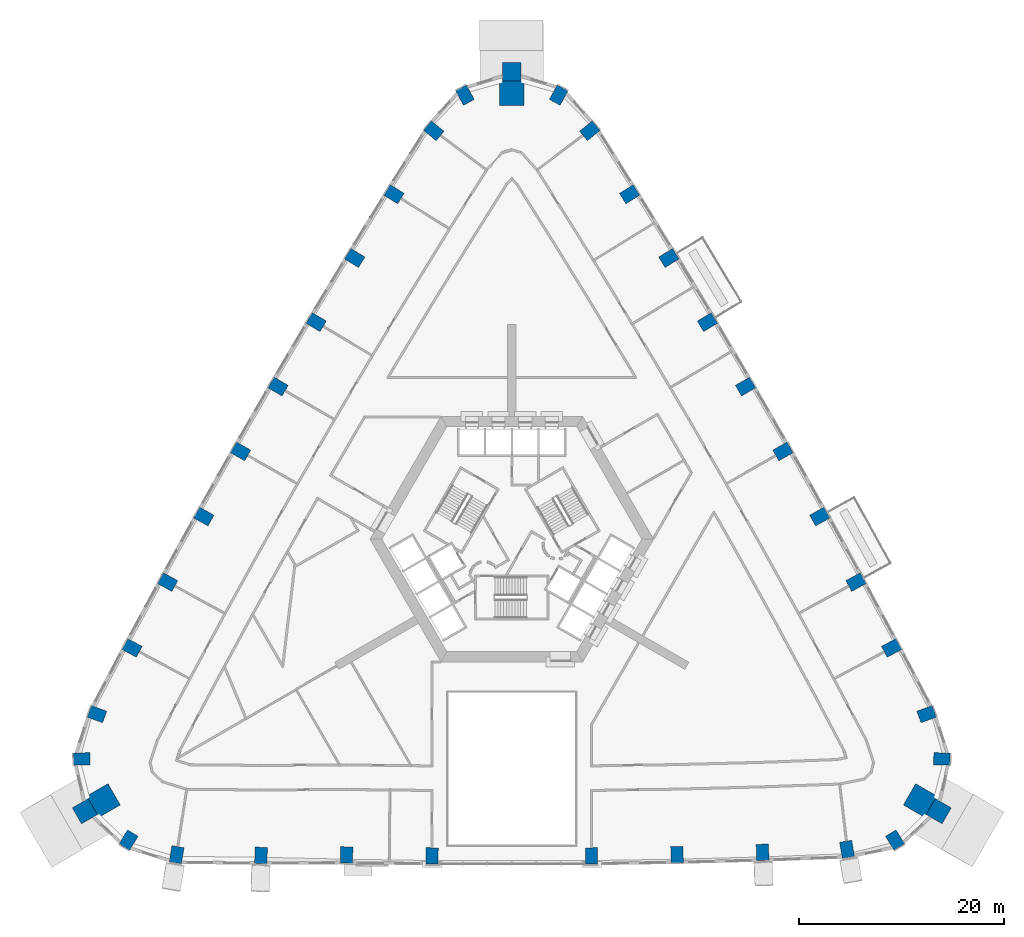
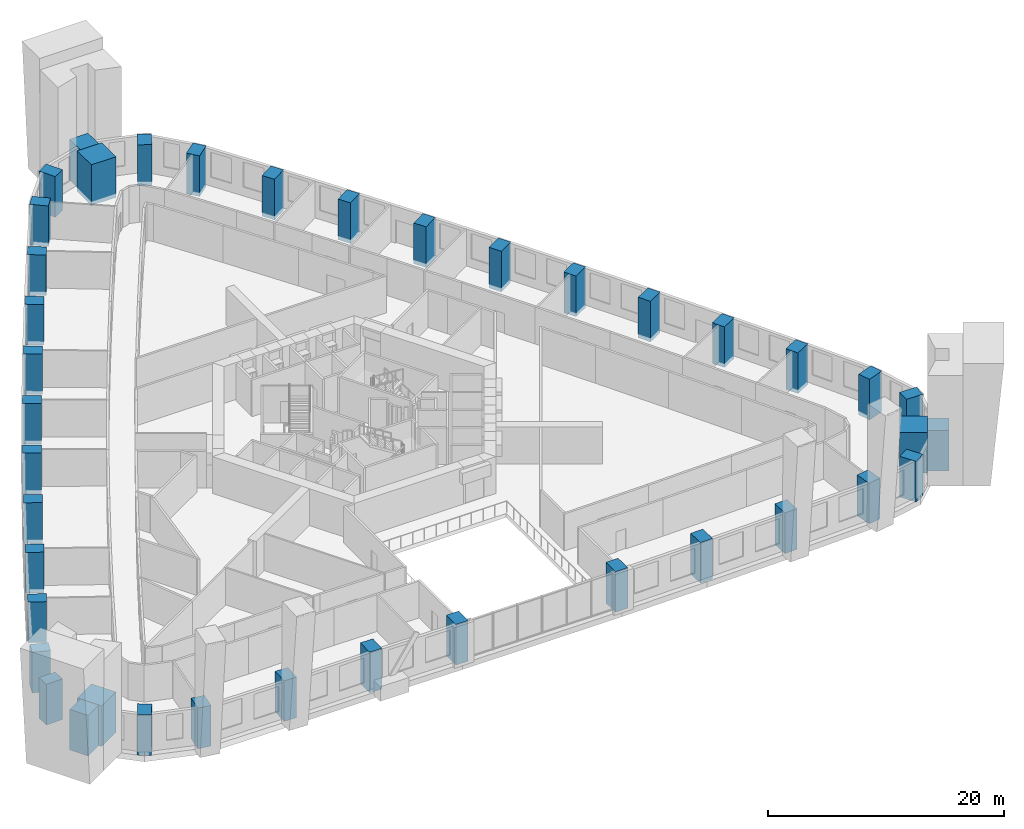
# One storey, part 1 of 16: 40 columns.
"""IFC4 building model written with IfcOpenShell, lengths in metres."""

from ifc_helpers import new_model, si_unit, direction, frame, origin, origin_2d, place, context, subcontext, project, spatial, rectangle, extrude, material, material_profile, profile_set, type_object, element, save


model = new_model("IFC4")

# Units and contexts
model_context = context("Model", 3, precision=1e-05, world=origin(), true_north=direction((0.0, 1.0)))
body_context = subcontext(model_context, "Body", "Model", "MODEL_VIEW")
ifc_project = project(units=[si_unit("LENGTHUNIT", "METRE"), si_unit("AREAUNIT", "SQUARE_METRE"), si_unit("VOLUMEUNIT", "CUBIC_METRE"), si_unit("PLANEANGLEUNIT", "RADIAN"), si_unit("MASSUNIT", "GRAM", prefix="KILO")], contexts=[model_context])

# Site, building, storey
site_placement = place(None, origin())
site = spatial("IfcSite", under=ifc_project, at=site_placement, CompositionType="ELEMENT")
building_placement = place(site_placement, origin())
building = spatial("IfcBuilding", under=site, at=building_placement, Name="Entoto Arch Interchange Tower", CompositionType="ELEMENT")
storey_placement = place(building_placement, frame((0.0, 0.0, 60.199951171875)))
storey = spatial("IfcBuildingStorey", under=building, at=storey_placement, Name="L12", CompositionType="ELEMENT", Elevation=60.199951171875)

# Columns
ifc_material_1 = material(Name="Concrete C60/75", Category="concrete")
ifc_material_profile_1 = material_profile(ifc_material_1, rectangle(XDim=1.199951171875, YDim=1.60009765625, at=origin_2d()))
ifc_profile_set_1 = profile_set([ifc_material_profile_1], Name="Concrete C60/75")
column_type_1 = type_object("IfcColumnType", Name="Column RC 1200x1600 C60/75", PredefinedType="COLUMN", material=ifc_profile_set_1)
for number, where, z_axis, x_axis, name in (
    (1, (-32.760986328125, -28.345947265625, -0.39990234375), (0.0, 0.0, 1.0), (-0.98600476771, 0.166717119856, 0.0), "Column S01 L12"),
    (2, (-24.510009765625, -28.416015625, -0.39990234375), (0.0, 0.0, 1.0), (-0.999434480961, 0.033626154508, 0.0), "Column S02 L12"),
    (3, (-16.14990234375, -28.367919921875, -0.39990234375), (0.0, 0.0, 1.0), (-0.99975435134, 0.022163866481, 0.0), "Column S03 L12"),
    (4, (-7.79296875, -28.4609375, -0.39990234375), (0.0, 0.0, 1.0), (-0.999966355195, 0.008202955488, 0.0), "Column S04 L12"),
    (5, (7.79296875, -28.4609375, -0.39990234375), (0.0, 0.0, 1.0), (0.999966355195, 0.008202955488, 0.0), "Column S05 L12"),
    (6, (16.14990234375, -28.33203125, -0.39990234375), (0.0, 0.0, 1.0), (0.99975435134, 0.022163866481, 0.0), "Column S06 L12"),
    (7, (24.510009765625, -28.114013671875, -0.39990234375), (0.0, 0.0, 1.0), (0.999434480961, 0.033626154508, 0.0), "Column S07 L12"),
    (8, (32.760986328125, -27.818115234375, -0.39990234375), (0.0, 0.0, 1.0), (0.98600476771, 0.166717119856, 0.0), "Column S08 L12"),
    (9, (37.45703125, -26.9130859375, -0.39990234375), (0.0, 0.0, 1.0), (0.854522294989, 0.519414716163, 0.0), "Column SE1 L12"),
    (10, (42.034912109375, -18.98193359375, -0.39990234375), (0.0, 0.0, 1.0), (0.022565191802, 0.999745373642, 0.0), "Column SE3 L12"),
    (11, (40.5439453125, -14.60400390625, -0.39990234375), (0.0, 0.0, 1.0), (-0.348277574304, 0.937391450375, 0.0), "Column NE01 L12"),
    (12, (37.116943359375, -8.132080078125, -0.39990234375), (0.0, 0.0, 1.0), (-0.46931745221, 0.883029517656, 0.0), "Column NE02 L12"),
    (13, (33.639892578125, -1.695068359375, -0.39990234375), (0.0, 0.0, 1.0), (-0.478140110514, 0.878283573066, 0.0), "Column NE03 L12"),
    (14, (30.10205078125, 4.7080078125, -0.39990234375), (0.0, 0.0, 1.0), (-0.486914781103, 0.873449481048, 0.0), "Column NE04 L12"),
    (15, (26.5029296875, 11.077880859375, -0.39990234375), (0.0, 0.0, 1.0), (-0.495655741916, 0.868519076074, 0.0), "Column NE05 L12"),
    (16, (22.845947265625, 17.4130859375, -0.39990234375), (0.0, 0.0, 1.0), (-0.504331712594, 0.863510002068, 0.0), "Column NE06 L12"),
    (17, (19.126953125, 23.714111328125, -0.39990234375), (0.0, 0.0, 1.0), (-0.512972048958, 0.858405310438, 0.0), "Column NE07 L12"),
    (18, (15.35107421875, 29.98095703125, -0.39990234375), (0.0, 0.0, 1.0), (-0.521545830745, 0.853223268806, 0.0), "Column NE08 L12"),
    (19, (11.51611328125, 36.2109375, -0.39990234375), (0.0, 0.0, 1.0), (-0.530067268476, 0.847955594881, 0.0), "Column NE09 L12"),
    (20, (7.625, 42.4140625, -0.39990234375), (0.0, 0.0, 1.0), (-0.637666022163, 0.770312952103, 0.0), "Column NE10 L12"),
    (21, (4.5791015625, 45.89501953125, -0.39990234375), (0.0, 0.0, 1.0), (-0.877079103306, 0.48034596547, 0.0), "Column N1 L12"),
    (22, (-4.5791015625, 45.89501953125, -0.39990234375), (0.0, 0.0, 1.0), (0.877079103306, 0.48034596547, 0.0), "Column N3 L12"),
    (23, (-7.625, 42.4140625, -0.39990234375), (0.0, 0.0, 1.0), (0.637666022163, 0.770312952103, 0.0), "Column NW01 L12"),
    (24, (-11.51611328125, 36.2109375, -0.39990234375), (0.0, 0.0, 1.0), (0.530067268476, 0.847955594881, 0.0), "Column NW02 L12"),
    (25, (-15.35107421875, 29.98095703125, -0.39990234375), (0.0, 0.0, 1.0), (0.521545830745, 0.853223268806, 0.0), "Column NW03 L12"),
    (26, (-19.126953125, 23.714111328125, -0.39990234375), (0.0, 0.0, 1.0), (0.512972048958, 0.858405310438, 0.0), "Column NW04 L12"),
    (27, (-22.845947265625, 17.4130859375, -0.39990234375), (0.0, 0.0, 1.0), (0.504331712594, 0.863510002068, 0.0), "Column NW05 L12"),
    (28, (-26.5029296875, 11.077880859375, -0.39990234375), (0.0, 0.0, 1.0), (0.495655741916, 0.868519076074, 0.0), "Column NW06 L12"),
    (29, (-30.10205078125, 4.7080078125, -0.39990234375), (0.0, 0.0, 1.0), (0.486914781103, 0.873449481048, 0.0), "Column NW07 L12"),
    (30, (-33.639892578125, -1.695068359375, -0.39990234375), (0.0, 0.0, 1.0), (0.478140110514, 0.878283573066, 0.0), "Column NW08 L12"),
    (31, (-37.116943359375, -8.132080078125, -0.39990234375), (0.0, 0.0, 1.0), (0.46931745221, 0.883029517656, 0.0), "Column NW09 L12"),
    (32, (-40.5439453125, -14.60400390625, -0.39990234375), (0.0, 0.0, 1.0), (0.348277574304, 0.937391450375, 0.0), "Column NW10 L12"),
    (33, (-42.034912109375, -18.98193359375, -0.39990234375), (0.0, 0.0, 1.0), (-0.022565191802, 0.999745373642, 0.0), "Column SW1 L12"),
    (34, (-37.45703125, -26.9130859375, -0.39990234375), (0.0, 0.0, 1.0), (-0.854522294989, 0.519414716163, 0.0), "Column SW3 L12"),
):
    element("IfcColumn", number, at=place(storey_placement, frame(where, z_axis=z_axis, x_axis=x_axis)), inside=storey, type_object=column_type_1, Name=name, PredefinedType="COLUMN", context=body_context, shape_type="SweptSolid", body=[
        extrude(rectangle(XDim=1.199951171875, YDim=1.60009765625, at=origin_2d()), origin(), (0.0, 0.0, 1.0), 4.199951171875),
    ])
ifc_material_2 = material(Name="Precast concrete C40/50", Category="concrete")
ifc_material_profile_2 = material_profile(ifc_material_2, rectangle(XDim=1.800048828125, YDim=1.800048828125, at=origin_2d()))
ifc_profile_set_2 = profile_set([ifc_material_profile_2], Name="Precast concrete C40/50")
column_type_2 = type_object("IfcColumnType", Name="Frame post RC 1800x1800 precast C40/50", PredefinedType="COLUMN", material=ifc_profile_set_2)
for number, where, z_axis, x_axis, name in (
    (35, (41.72705078125, -24.091064453125, -0.39990234375), (0.0, 0.0, 1.0), (-0.866025403784, 0.5, 0.0), "Frame post SE L12"),
    (36, (0.0, 48.181884765625, -0.39990234375), (0.0, 0.0, 1.0), (0.0, 1.0, 0.0), "Frame post N L12"),
    (37, (-41.72705078125, -24.091064453125, -0.39990234375), (0.0, 0.0, 1.0), (0.866025403784, 0.5, 0.0), "Frame post SW L12"),
):
    element("IfcColumn", number, at=place(storey_placement, frame(where, z_axis=z_axis, x_axis=x_axis)), inside=storey, type_object=column_type_2, Name=name, PredefinedType="COLUMN", context=body_context, shape_type="SweptSolid", body=[
        extrude(rectangle(XDim=1.800048828125, YDim=1.800048828125, at=origin_2d()), origin(), (0.0, 0.0, 1.0), 4.199951171875),
    ])
ifc_material_profile_3 = material_profile(ifc_material_1, rectangle(XDim=2.39990234375, YDim=2.39990234375, at=origin_2d()))
ifc_profile_set_3 = profile_set([ifc_material_profile_3], Name="Concrete C60/75")
column_type_3 = type_object("IfcColumnType", Name="Mega column RC 2400x2400 C60/75", PredefinedType="COLUMN", material=ifc_profile_set_3)
for number, where, z_axis, x_axis, name in (
    (38, (39.907958984375, -23.041015625, -0.39990234375), (0.0, 0.0, 1.0), (-0.866025403784, 0.5, 0.0), "Corner mega column SE2 L12"),
    (39, (0.0, 46.08203125, -0.39990234375), (0.0, 0.0, 1.0), (0.0, 1.0, 0.0), "Corner mega column N2 L12"),
    (40, (-39.907958984375, -23.041015625, -0.39990234375), (0.0, 0.0, 1.0), (0.866025403784, 0.5, 0.0), "Corner mega column SW2 L12"),
):
    element("IfcColumn", number, at=place(storey_placement, frame(where, z_axis=z_axis, x_axis=x_axis)), inside=storey, type_object=column_type_3, Name=name, PredefinedType="COLUMN", context=body_context, shape_type="SweptSolid", body=[
        extrude(rectangle(XDim=2.39990234375, YDim=2.39990234375, at=origin_2d()), origin(), (0.0, 0.0, 1.0), 4.199951171875),
    ])

save(model, "model.ifc")
